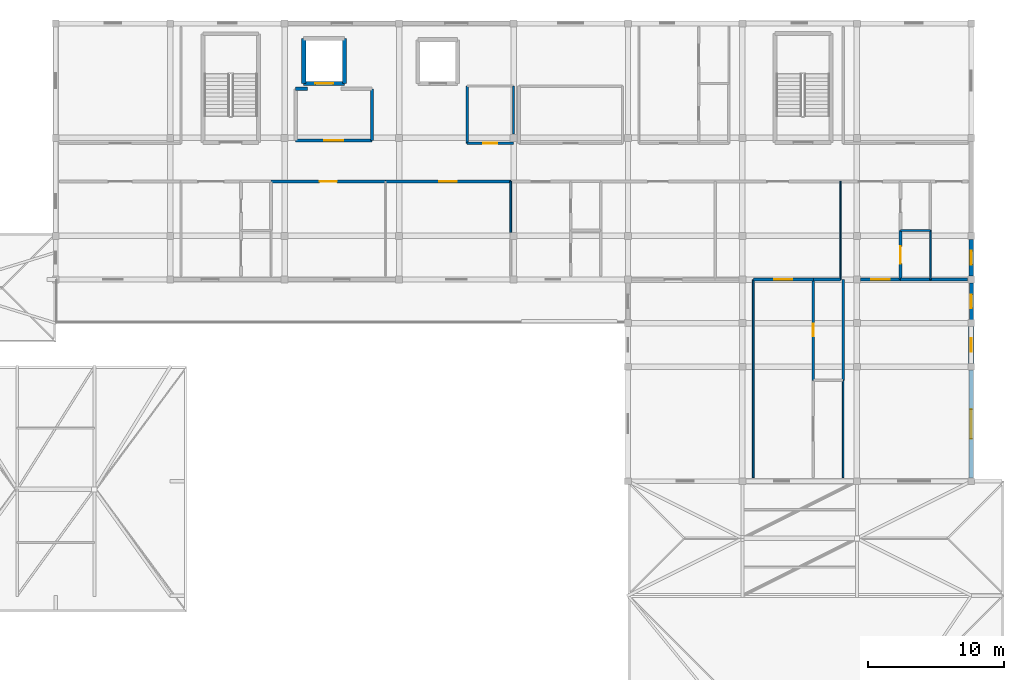
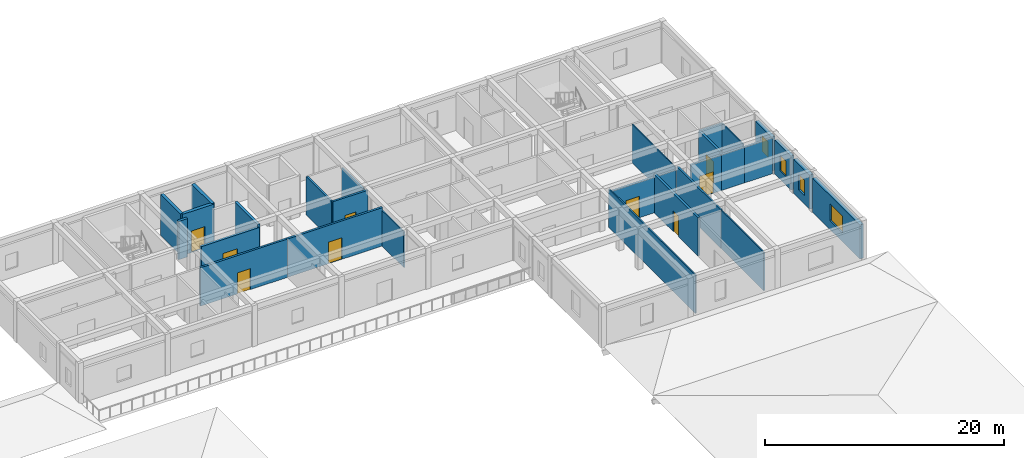
# One storey, part 16 of 26: 29 walls, 9 doors, 4 windows, 13 openings.
"""IFC4 building model written with IfcOpenShell, lengths in metres."""

from ifc_helpers import new_model, si_unit, direction, frame, frame_2d, origin, place, context, subcontext, project, spatial, rectangle, extrude, material, layer, layer_set, type_object, element, fill, save


model = new_model("IFC4")

# Units and contexts
model_context = context("Model", 3, precision=1e-05, world=origin(), true_north=direction((0.0, 1.0)))
body_context = subcontext(model_context, "Body", "Model", "MODEL_VIEW")
ifc_project = project(units=[si_unit("LENGTHUNIT", "METRE"), si_unit("AREAUNIT", "SQUARE_METRE"), si_unit("VOLUMEUNIT", "CUBIC_METRE"), si_unit("PLANEANGLEUNIT", "RADIAN"), si_unit("MASSUNIT", "GRAM", prefix="KILO")], contexts=[model_context])

# Site, building, storey
site_placement = place(None, origin())
site = spatial("IfcSite", under=ifc_project, at=site_placement, CompositionType="ELEMENT")
building_placement = place(site_placement, origin())
building = spatial("IfcBuilding", under=site, at=building_placement, Name="Varncliffe General Hospital", CompositionType="ELEMENT")
storey_placement = place(building_placement, frame((0.0, 0.0, 28.800048828125)))
storey = spatial("IfcBuildingStorey", under=building, at=storey_placement, Name="L06", CompositionType="ELEMENT", Elevation=28.800048828125)

# Wall, opening, window
ifc_material_1 = material(Name="Precast concrete C40/50 with insulated cream lime-cement stucco", Category="concrete")
ifc_layer_1 = layer(ifc_material_1, 0.31005859375)
ifc_layer_set_1 = layer_set([ifc_layer_1], Name="Precast concrete C40/50 with insulated cream lime-cement stucco")
wall_type_1 = type_object("IfcWallType", Name="Exterior Insulated Stucco Wall EW20 (310mm)", PredefinedType="SOLIDWALL", material=ifc_layer_set_1)
wall_1_placement = place(storey_placement, frame((176.39990234375, 108.951904296875, 0.0), z_axis=(0.0, 0.0, 1.0), x_axis=(0.0, -1.0, 0.0)))
wall_1 = element("IfcWall", 1, at=wall_1_placement, inside=storey, type_object=wall_type_1, Name="L06 Exterior Stucco Wall EW20-527", PredefinedType="SOLIDWALL", context=body_context, shape_type="SweptSolid", body=[
    extrude(rectangle(XDim=2.703857421875, YDim=0.31005859375, at=frame_2d((1.35205078125, 0.0))), origin(), (0.0, 0.0, 1.0), 3.47998046875),
])
opening_1_placement = place(wall_1_placement, frame((0.85205078125, 0.0, 0.89990234375)))
opening_1 = element("IfcOpeningElement", 2, at=opening_1_placement, cuts=wall_1, Name="Opening WN21", PredefinedType="OPENING", context=body_context, shape_type="SweptSolid", body=[
    extrude(rectangle(XDim=1.0, YDim=1.550048828125, at=frame_2d((0.5, 0.77490234375))), frame((0.0, 0.1650390625, 0.0), z_axis=(0.0, -1.0, 0.0), x_axis=(1.0, 0.0, 0.0)), (0.0, 0.0, 1.0), 0.330078125),
])
ifc_material_2 = material(Name="Triple low-E argon insulated vision glazing", Category="glass")
window_type_1 = type_object("IfcWindowType", Name="Triple-Glazed Hospital Window WN21 (1000x1550)", PartitioningType="SINGLE_PANEL", PredefinedType="WINDOW", material=ifc_material_2)
window_1_placement = place(opening_1_placement, origin())
window_1 = element("IfcWindow", 3, at=window_1_placement, inside=storey, type_object=window_type_1, Name="L06 Hospital Window WN21-415", OverallHeight=1.550048828125, OverallWidth=1.0, PartitioningType="SINGLE_PANEL", PredefinedType="WINDOW", context=body_context, shape_type="SweptSolid", body=[
    extrude(rectangle(XDim=1.0, YDim=1.550048828125, at=frame_2d((0.5, 0.77490234375))), frame((0.0, 0.030029296875, 0.0), z_axis=(0.0, -1.0, 0.0), x_axis=(1.0, 0.0, 0.0)), (0.0, 0.0, 1.0), 0.06005859375),
])
fill(opening_1, window_1)

ifc_layer_2 = layer(ifc_material_1, 0.3798828125)
ifc_layer_set_2 = layer_set([ifc_layer_2], Name="Precast concrete C40/50 with insulated cream lime-cement stucco")
wall_type_2 = type_object("IfcWallType", Name="Exterior Insulated Stucco Wall EW26 (380mm)", PredefinedType="SOLIDWALL", material=ifc_layer_set_2)
wall_2_placement = place(storey_placement, frame((176.39990234375, 102.552001953125, 0.0), z_axis=(0.0, 0.0, 1.0), x_axis=(0.0, -1.0, 0.0)))
wall_2 = element("IfcWall", 4, at=wall_2_placement, inside=storey, type_object=wall_type_2, Name="L06 Exterior Stucco Wall EW26-529", PredefinedType="SOLIDWALL", context=body_context, shape_type="SweptSolid", body=[
    extrude(rectangle(XDim=2.7041015625, YDim=0.3798828125, at=frame_2d((1.35205078125, 0.0))), origin(), (0.0, 0.0, 1.0), 3.47998046875),
])
opening_2_placement = place(wall_2_placement, frame((0.85205078125, 0.0, 0.89990234375)))
opening_2 = element("IfcOpeningElement", 5, at=opening_2_placement, cuts=wall_2, Name="Opening WN21", PredefinedType="OPENING", context=body_context, shape_type="SweptSolid", body=[
    extrude(rectangle(XDim=1.0, YDim=1.550048828125, at=frame_2d((0.5, 0.77490234375))), frame((0.0, 0.199951171875, 0.0), z_axis=(0.0, -1.0, 0.0), x_axis=(1.0, 0.0, 0.0)), (0.0, 0.0, 1.0), 0.39990234375),
])
window_2_placement = place(opening_2_placement, origin())
window_2 = element("IfcWindow", 6, at=window_2_placement, inside=storey, type_object=window_type_1, Name="L06 Hospital Window WN21-417", OverallHeight=1.550048828125, OverallWidth=1.0, PartitioningType="SINGLE_PANEL", PredefinedType="WINDOW", context=body_context, shape_type="SweptSolid", body=[
    extrude(rectangle(XDim=1.0, YDim=1.550048828125, at=frame_2d((0.5, 0.77490234375))), frame((0.0, 0.030029296875, 0.0), z_axis=(0.0, -1.0, 0.0), x_axis=(1.0, 0.0, 0.0)), (0.0, 0.0, 1.0), 0.06005859375),
])
fill(opening_2, window_2)

ifc_layer_3 = layer(ifc_material_1, 0.2900390625)
ifc_layer_set_3 = layer_set([ifc_layer_3], Name="Precast concrete C40/50 with insulated cream lime-cement stucco")
wall_type_3 = type_object("IfcWallType", Name="Exterior Insulated Stucco Wall EW31 (290mm)", PredefinedType="SOLIDWALL", material=ifc_layer_set_3)
wall_3_placement = place(storey_placement, frame((176.39990234375, 105.751953125, 0.0), z_axis=(0.0, 0.0, 1.0), x_axis=(0.0, -1.0, 0.0)))
wall_3 = element("IfcWall", 7, at=wall_3_placement, inside=storey, type_object=wall_type_3, Name="L06 Exterior Stucco Wall EW31-528", PredefinedType="SOLIDWALL", context=body_context, shape_type="SweptSolid", body=[
    extrude(rectangle(XDim=2.703857421875, YDim=0.2900390625, at=frame_2d((1.35205078125, 0.0))), origin(), (0.0, 0.0, 1.0), 3.47998046875),
])
opening_3_placement = place(wall_3_placement, frame((0.85205078125, 0.0, 0.89990234375)))
opening_3 = element("IfcOpeningElement", 8, at=opening_3_placement, cuts=wall_3, Name="Opening WN21", PredefinedType="OPENING", context=body_context, shape_type="SweptSolid", body=[
    extrude(rectangle(XDim=1.0, YDim=1.550048828125, at=frame_2d((0.5, 0.77490234375))), frame((0.0, 0.155029296875, 0.0), z_axis=(0.0, -1.0, 0.0), x_axis=(1.0, 0.0, 0.0)), (0.0, 0.0, 1.0), 0.31005859375),
])
window_3_placement = place(opening_3_placement, origin())
window_3 = element("IfcWindow", 9, at=window_3_placement, inside=storey, type_object=window_type_1, Name="L06 Hospital Window WN21-416", OverallHeight=1.550048828125, OverallWidth=1.0, PartitioningType="SINGLE_PANEL", PredefinedType="WINDOW", context=body_context, shape_type="SweptSolid", body=[
    extrude(rectangle(XDim=1.0, YDim=1.550048828125, at=frame_2d((0.5, 0.77490234375))), frame((0.0, 0.030029296875, 0.0), z_axis=(0.0, -1.0, 0.0), x_axis=(1.0, 0.0, 0.0)), (0.0, 0.0, 1.0), 0.06005859375),
])
fill(opening_3, window_3)

ifc_layer_4 = layer(ifc_material_1, 0.35009765625)
ifc_layer_set_4 = layer_set([ifc_layer_4], Name="Precast concrete C40/50 with insulated cream lime-cement stucco")
wall_type_4 = type_object("IfcWallType", Name="Exterior Insulated Stucco Wall EW37 (350mm)", PredefinedType="SOLIDWALL", material=ifc_layer_set_4)
wall_4_placement = place(storey_placement, frame((176.39990234375, 99.35205078125, 0.0), z_axis=(0.0, 0.0, 1.0), x_axis=(0.0, -1.0, 0.0)))
wall_4 = element("IfcWall", 10, at=wall_4_placement, inside=storey, type_object=wall_type_4, Name="L06 Exterior Stucco Wall EW37-530", PredefinedType="SOLIDWALL", context=body_context, shape_type="SweptSolid", body=[
    extrude(rectangle(XDim=7.904052734375, YDim=0.35009765625, at=frame_2d((3.9521484375, 0.0))), origin(), (0.0, 0.0, 1.0), 3.47998046875),
])
opening_4_placement = place(wall_4_placement, frame((2.876953125, 0.0, 0.89990234375)))
opening_4 = element("IfcOpeningElement", 11, at=opening_4_placement, cuts=wall_4, Name="Opening WN63", PredefinedType="OPENING", context=body_context, shape_type="SweptSolid", body=[
    extrude(rectangle(XDim=2.14990234375, YDim=1.75, at=frame_2d((1.074951171875, 0.875))), frame((0.0, 0.18505859375, 0.0), z_axis=(0.0, -1.0, 0.0), x_axis=(1.0, 0.0, 0.0)), (0.0, 0.0, 1.0), 0.3701171875),
])
window_type_2 = type_object("IfcWindowType", Name="Triple-Glazed Hospital Window WN63 (2150x1750)", PartitioningType="DOUBLE_PANEL_VERTICAL", PredefinedType="WINDOW", material=ifc_material_2)
window_4_placement = place(opening_4_placement, origin())
window_4 = element("IfcWindow", 12, at=window_4_placement, inside=storey, type_object=window_type_2, Name="L06 Hospital Window WN63-418", OverallHeight=1.75, OverallWidth=2.14990234375, PartitioningType="DOUBLE_PANEL_VERTICAL", PredefinedType="WINDOW", context=body_context, shape_type="SweptSolid", body=[
    extrude(rectangle(XDim=2.14990234375, YDim=1.75, at=frame_2d((1.074951171875, 0.875))), frame((0.0, 0.030029296875, 0.0), z_axis=(0.0, -1.0, 0.0), x_axis=(1.0, 0.0, 0.0)), (0.0, 0.0, 1.0), 0.06005859375),
])
fill(opening_4, window_4)

# Walls
ifc_material_3 = material(Name="Acoustic clinical gypsum stud partition assembly", Category="gypsum")
ifc_layer_5 = layer(ifc_material_3, 0.1298828125)
ifc_layer_set_5 = layer_set([ifc_layer_5], Name="Acoustic clinical gypsum stud partition assembly")
wall_type_5 = type_object("IfcWallType", Name="Interior Partitioning IW11 (130mm)", PredefinedType="PARTITIONING", material=ifc_layer_set_5)
wall_5_placement = place(storey_placement, frame((142.60009765625, 109.465087890625, 0.0), z_axis=(0.0, 0.0, 1.0), x_axis=(0.0, 1.0, 0.0)))
element("IfcWall", 13, at=wall_5_placement, inside=storey, type_object=wall_type_5, Name="L06 Interior Partition Wall IW11-2303", PredefinedType="PARTITIONING", context=body_context, shape_type="SweptSolid", body=[
    extrude(rectangle(XDim=3.73486328125, YDim=0.1298828125, at=frame_2d((1.867431640625, 0.0))), origin(), (0.0, 0.0, 1.0), 3.635009765625),
])
wall_6_placement = place(storey_placement, frame((160.39990234375, 91.4599609375, 0.0), z_axis=(0.0, 0.0, 1.0), x_axis=(0.0, 1.0, 0.0)))
element("IfcWall", 14, at=wall_6_placement, inside=storey, type_object=wall_type_5, Name="L06 Interior Partition Wall IW11-2318", PredefinedType="PARTITIONING", context=body_context, shape_type="SweptSolid", body=[
    extrude(rectangle(XDim=14.5400390625, YDim=0.1298828125, at=frame_2d((7.27001953125, 0.0))), origin(), (0.0, 0.0, 1.0), 3.919921875),
])
ifc_layer_6 = layer(ifc_material_3, 0.090087890625)
ifc_layer_set_6 = layer_set([ifc_layer_6], Name="Acoustic clinical gypsum stud partition assembly")
wall_type_6 = type_object("IfcWallType", Name="Interior Partitioning IW42 (90mm)", PredefinedType="PARTITIONING", material=ifc_layer_set_6)
wall_7_placement = place(storey_placement, frame((166.800048828125, 106.0, 0.0), z_axis=(0.0, 0.0, 1.0), x_axis=(0.0, 1.0, 0.0)))
element("IfcWall", 15, at=wall_7_placement, inside=storey, type_object=wall_type_6, Name="L06 Interior Partition Wall IW42-2321", PredefinedType="PARTITIONING", context=body_context, shape_type="SweptSolid", body=[
    extrude(rectangle(XDim=7.199951171875, YDim=0.090087890625, at=frame_2d((3.60009765625, 0.0))), origin(), (0.0, 0.0, 1.0), 3.919921875),
])
ifc_layer_7 = layer(ifc_material_3, 0.110107421875)
ifc_layer_set_7 = layer_set([ifc_layer_7], Name="Acoustic clinical gypsum stud partition assembly")
wall_type_7 = type_object("IfcWallType", Name="Interior Partitioning IW65 (110mm)", PredefinedType="PARTITIONING", material=ifc_layer_set_7)
wall_8_placement = place(storey_placement, frame((167.0, 91.4599609375, 0.0), z_axis=(0.0, 0.0, 1.0), x_axis=(0.0, 1.0, 0.0)))
element("IfcWall", 16, at=wall_8_placement, inside=storey, type_object=wall_type_7, Name="L06 Interior Partition Wall IW65-2322", PredefinedType="PARTITIONING", context=body_context, shape_type="SweptSolid", body=[
    extrude(rectangle(XDim=7.14013671875, YDim=0.110107421875, at=frame_2d((3.570068359375, 0.0))), origin(), (0.0, 0.0, 1.0), 3.919921875),
])
wall_9_placement = place(storey_placement, frame((173.39990234375, 106.0, 0.0), z_axis=(0.0, 0.0, 1.0), x_axis=(0.0, 1.0, 0.0)))
element("IfcWall", 17, at=wall_9_placement, inside=storey, type_object=wall_type_7, Name="L06 Interior Partition Wall IW65-2327", PredefinedType="PARTITIONING", context=body_context, shape_type="SweptSolid", body=[
    extrude(rectangle(XDim=3.60009765625, YDim=0.110107421875, at=frame_2d((1.800048828125, 0.0))), origin(), (0.0, 0.0, 1.0), 3.919921875),
])
ifc_material_4 = material(Name="Fire-rated gypsum and mineral-wool partition assembly", Category="gypsum")
ifc_layer_8 = layer(ifc_material_4, 0.25)
ifc_layer_set_8 = layer_set([ifc_layer_8], Name="Fire-rated gypsum and mineral-wool partition assembly")
wall_type_8 = type_object("IfcWallType", Name="Interior Partitioning PW38 (250mm)", PredefinedType="PARTITIONING", material=ifc_layer_set_8)
wall_10_placement = place(storey_placement, frame((126.800048828125, 120.0, 0.0), z_axis=(0.0, 0.0, 1.0), x_axis=(1.0, 0.0, 0.0)))
element("IfcWall", 18, at=wall_10_placement, inside=storey, type_object=wall_type_8, Name="L06 Interior Partition Wall PW38-2254", PredefinedType="PARTITIONING", context=body_context, shape_type="SweptSolid", body=[
    extrude(rectangle(XDim=0.864013671875, YDim=0.25, at=frame_2d((0.43212890625, 0.0))), origin(), (0.0, 0.0, 1.0), 3.919921875),
])

# Wall, opening, door
ifc_layer_9 = layer(ifc_material_4, 0.22998046875)
ifc_layer_set_9 = layer_set([ifc_layer_9], Name="Fire-rated gypsum and mineral-wool partition assembly")
wall_type_9 = type_object("IfcWallType", Name="Interior Partitioning PW48 (230mm)", PredefinedType="PARTITIONING", material=ifc_layer_set_9)
wall_11_placement = place(storey_placement, frame((126.800048828125, 116.199951171875, 0.0), z_axis=(0.0, 0.0, 1.0), x_axis=(1.0, 0.0, 0.0)))
wall_11 = element("IfcWall", 19, at=wall_11_placement, inside=storey, type_object=wall_type_9, Name="L06 Interior Partition Wall PW48-2248", PredefinedType="PARTITIONING", context=body_context, shape_type="SweptSolid", body=[
    extrude(rectangle(XDim=5.599853515625, YDim=0.22998046875, at=frame_2d((2.7998046875, 0.0))), origin(), (0.0, 0.0, 1.0), 3.635009765625),
])
opening_5_placement = place(wall_11_placement, frame((2.10009765625, 0.0, 0.0)))
opening_5 = element("IfcOpeningElement", 20, at=opening_5_placement, cuts=wall_11, Name="Opening DF81", PredefinedType="OPENING", context=body_context, shape_type="SweptSolid", body=[
    extrude(rectangle(XDim=1.39990234375, YDim=2.199951171875, at=frame_2d((0.699951171875, 1.10009765625))), frame((0.0, 0.125, 0.0), z_axis=(0.0, -1.0, 0.0), x_axis=(1.0, 0.0, 0.0)), (0.0, 0.0, 1.0), 0.25),
])
ifc_material_5 = material(Name="Fire-rated hospital steel-frame vision-panel door", Category="steel")
door_type_1 = type_object("IfcDoorType", Name="Interior Hospital Door DF81 (1400x2200)", OperationType="NOTDEFINED", PredefinedType="DOOR", material=ifc_material_5)
door_1_placement = place(opening_5_placement, origin())
door_1 = element("IfcDoor", 21, at=door_1_placement, inside=storey, type_object=door_type_1, Name="L06 Firefighting Lift Lobby LF03 Door", OperationType="SINGLE_SWING_RIGHT", OverallHeight=2.199951171875, OverallWidth=1.39990234375, PredefinedType="DOOR", context=body_context, shape_type="SweptSolid", body=[
    extrude(rectangle(XDim=1.39990234375, YDim=2.199951171875, at=frame_2d((0.699951171875, 1.10009765625))), frame((0.0, 0.02490234375, 0.0), z_axis=(0.0, -1.0, 0.0), x_axis=(1.0, 0.0, 0.0)), (0.0, 0.0, 1.0), 0.050048828125),
])
fill(opening_5, door_1)

# Wall
wall_12_placement = place(storey_placement, frame((132.39990234375, 116.199951171875, 0.0), z_axis=(0.0, 0.0, 1.0), x_axis=(0.0, 1.0, 0.0)))
element("IfcWall", 22, at=wall_12_placement, inside=storey, type_object=wall_type_9, Name="L06 Interior Partition Wall PW48-2300", PredefinedType="PARTITIONING", context=body_context, shape_type="SweptSolid", body=[
    extrude(rectangle(XDim=3.800048828125, YDim=0.22998046875, at=frame_2d((1.89990234375, 0.0))), origin(), (0.0, 0.0, 1.0), 3.919921875),
])

# Wall, opening, door
ifc_layer_10 = layer(ifc_material_4, 0.199951171875)
ifc_layer_set_10 = layer_set([ifc_layer_10], Name="Fire-rated gypsum and mineral-wool partition assembly")
wall_type_10 = type_object("IfcWallType", Name="Interior Partitioning PW63 (200mm)", PredefinedType="PARTITIONING", material=ifc_layer_set_10)
wall_13_placement = place(storey_placement, frame((160.39990234375, 106.0, 0.0), z_axis=(0.0, 0.0, 1.0), x_axis=(1.0, 0.0, 0.0)))
wall_13 = element("IfcWall", 23, at=wall_13_placement, inside=storey, type_object=wall_type_10, Name="L06 Interior Partition Wall PW63-2201", PredefinedType="PARTITIONING", context=body_context, shape_type="SweptSolid", body=[
    extrude(rectangle(XDim=4.400146484375, YDim=0.199951171875, at=frame_2d((2.2001953125, 0.0))), origin(), (0.0, 0.0, 1.0), 3.635009765625),
])
opening_6_placement = place(wall_13_placement, frame((1.550048828125, 0.0, 0.0)))
opening_6 = element("IfcOpeningElement", 24, at=opening_6_placement, cuts=wall_13, Name="Opening DC88", PredefinedType="OPENING", context=body_context, shape_type="SweptSolid", body=[
    extrude(rectangle(XDim=1.300048828125, YDim=2.199951171875, at=frame_2d((0.64990234375, 1.10009765625))), frame((0.0, 0.10986328125, 0.0), z_axis=(0.0, -1.0, 0.0), x_axis=(1.0, 0.0, 0.0)), (0.0, 0.0, 1.0), 0.219970703125),
])
door_type_2 = type_object("IfcDoorType", Name="Interior Hospital Door DC88 (1300x2200)", OperationType="NOTDEFINED", PredefinedType="DOOR", material=ifc_material_5)
door_2_placement = place(opening_6_placement, frame((1.300048828125, 0.0, 0.0), z_axis=(0.0, 0.0, 1.0), x_axis=(-1.0, 0.0, 0.0)))
door_2 = element("IfcDoor", 25, at=door_2_placement, inside=storey, type_object=door_type_2, Name="L06 Paediatric Inpatient Bedroom 60 Door", OperationType="SINGLE_SWING_LEFT", OverallHeight=2.199951171875, OverallWidth=1.300048828125, PredefinedType="DOOR", context=body_context, shape_type="SweptSolid", body=[
    extrude(rectangle(XDim=1.300048828125, YDim=2.199951171875, at=frame_2d((0.64990234375, 1.10009765625))), frame((0.0, 0.02490234375, 0.0), z_axis=(0.0, -1.0, 0.0), x_axis=(1.0, 0.0, 0.0)), (0.0, 0.0, 1.0), 0.050048828125),
])
fill(opening_6, door_2)

wall_14_placement = place(storey_placement, frame((168.264892578125, 106.0, 0.0), z_axis=(0.0, 0.0, 1.0), x_axis=(1.0, 0.0, 0.0)))
wall_14 = element("IfcWall", 26, at=wall_14_placement, inside=storey, type_object=wall_type_10, Name="L06 Interior Partition Wall PW63-2203", PredefinedType="PARTITIONING", context=body_context, shape_type="SweptSolid", body=[
    extrude(rectangle(XDim=2.93505859375, YDim=0.199951171875, at=frame_2d((1.467529296875, 0.0))), origin(), (0.0, 0.0, 1.0), 3.635009765625),
])
opening_7_placement = place(wall_14_placement, frame((0.79248046875, 0.0, 0.0)))
opening_7 = element("IfcOpeningElement", 27, at=opening_7_placement, cuts=wall_14, Name="Opening DC85", PredefinedType="OPENING", context=body_context, shape_type="SweptSolid", body=[
    extrude(rectangle(XDim=1.35009765625, YDim=2.199951171875, at=frame_2d((0.675048828125, 1.10009765625))), frame((0.0, 0.10986328125, 0.0), z_axis=(0.0, -1.0, 0.0), x_axis=(1.0, 0.0, 0.0)), (0.0, 0.0, 1.0), 0.219970703125),
])
door_type_3 = type_object("IfcDoorType", Name="Interior Hospital Door DC85 (1350x2200)", OperationType="NOTDEFINED", PredefinedType="DOOR", material=ifc_material_5)
door_3_placement = place(opening_7_placement, frame((1.35009765625, 0.0, 0.0), z_axis=(0.0, 0.0, 1.0), x_axis=(-1.0, 0.0, 0.0)))
door_3 = element("IfcDoor", 28, at=door_3_placement, inside=storey, type_object=door_type_3, Name="L06 Paediatric Playroom and Daylight Lounge 63 Door", OperationType="SINGLE_SWING_RIGHT", OverallHeight=2.199951171875, OverallWidth=1.35009765625, PredefinedType="DOOR", context=body_context, shape_type="SweptSolid", body=[
    extrude(rectangle(XDim=1.35009765625, YDim=2.199951171875, at=frame_2d((0.675048828125, 1.10009765625))), frame((0.0, 0.02490234375, 0.0), z_axis=(0.0, -1.0, 0.0), x_axis=(1.0, 0.0, 0.0)), (0.0, 0.0, 1.0), 0.050048828125),
])
fill(opening_7, door_3)

# Walls
wall_15_placement = place(storey_placement, frame((171.199951171875, 106.0, 0.0), z_axis=(0.0, 0.0, 1.0), x_axis=(1.0, 0.0, 0.0)))
element("IfcWall", 29, at=wall_15_placement, inside=storey, type_object=wall_type_10, Name="L06 Interior Partition Wall PW63-2204", PredefinedType="PARTITIONING", context=body_context, shape_type="SweptSolid", body=[
    extrude(rectangle(XDim=2.199951171875, YDim=0.199951171875, at=frame_2d((1.10009765625, 0.0))), origin(), (0.0, 0.0, 1.0), 3.635009765625),
])
wall_16_placement = place(storey_placement, frame((173.39990234375, 106.0, 0.0), z_axis=(0.0, 0.0, 1.0), x_axis=(1.0, 0.0, 0.0)))
element("IfcWall", 30, at=wall_16_placement, inside=storey, type_object=wall_type_10, Name="L06 Interior Partition Wall PW63-2205", PredefinedType="PARTITIONING", context=body_context, shape_type="SweptSolid", body=[
    extrude(rectangle(XDim=2.735107421875, YDim=0.199951171875, at=frame_2d((1.36767578125, 0.0))), origin(), (0.0, 0.0, 1.0), 3.635009765625),
])

# Wall, opening, door
wall_17_placement = place(storey_placement, frame((125.0, 113.199951171875, 0.0), z_axis=(0.0, 0.0, 1.0), x_axis=(1.0, 0.0, 0.0)))
wall_17 = element("IfcWall", 31, at=wall_17_placement, inside=storey, type_object=wall_type_10, Name="L06 Interior Partition Wall PW63-2227", PredefinedType="PARTITIONING", context=body_context, shape_type="SweptSolid", body=[
    extrude(rectangle(XDim=8.39990234375, YDim=0.199951171875, at=frame_2d((4.199951171875, 0.0))), origin(), (0.0, 0.0, 1.0), 3.919921875),
])
opening_8_placement = place(wall_17_placement, frame((3.574951171875, 0.0, 0.0)))
opening_8 = element("IfcOpeningElement", 32, at=opening_8_placement, cuts=wall_17, Name="Opening DC44", PredefinedType="OPENING", context=body_context, shape_type="SweptSolid", body=[
    extrude(rectangle(XDim=1.25, YDim=2.14990234375, at=frame_2d((0.625, 1.074951171875))), frame((0.0, 0.10986328125, 0.0), z_axis=(0.0, -1.0, 0.0), x_axis=(1.0, 0.0, 0.0)), (0.0, 0.0, 1.0), 0.219970703125),
])
door_type_4 = type_object("IfcDoorType", Name="Interior Hospital Door DC44 (1250x2150)", OperationType="NOTDEFINED", PredefinedType="DOOR", material=ifc_material_5)
door_4_placement = place(opening_8_placement, frame((1.25, 0.0, 0.0), z_axis=(0.0, 0.0, 1.0), x_axis=(-1.0, 0.0, 0.0)))
door_4 = element("IfcDoor", 33, at=door_4_placement, inside=storey, type_object=door_type_4, Name="L06 Paediatric Playroom and Daylight Lounge 36 Door", OperationType="SINGLE_SWING_RIGHT", OverallHeight=2.14990234375, OverallWidth=1.25, PredefinedType="DOOR", context=body_context, shape_type="SweptSolid", body=[
    extrude(rectangle(XDim=1.25, YDim=2.14990234375, at=frame_2d((0.625, 1.074951171875))), frame((0.0, 0.02490234375, 0.0), z_axis=(0.0, -1.0, 0.0), x_axis=(1.0, 0.0, 0.0)), (0.0, 0.0, 1.0), 0.050048828125),
])
fill(opening_8, door_4)

wall_18_placement = place(storey_placement, frame((133.39990234375, 113.199951171875, 0.0), z_axis=(0.0, 0.0, 1.0), x_axis=(1.0, 0.0, 0.0)))
wall_18 = element("IfcWall", 34, at=wall_18_placement, inside=storey, type_object=wall_type_10, Name="L06 Interior Partition Wall PW63-2228", PredefinedType="PARTITIONING", context=body_context, shape_type="SweptSolid", body=[
    extrude(rectangle(XDim=9.2001953125, YDim=0.199951171875, at=frame_2d((4.60009765625, 0.0))), origin(), (0.0, 0.0, 1.0), 3.919921875),
])
opening_9_placement = place(wall_18_placement, frame((3.949951171875, 0.0, 0.0)))
opening_9 = element("IfcOpeningElement", 35, at=opening_9_placement, cuts=wall_18, Name="Opening DC88", PredefinedType="OPENING", context=body_context, shape_type="SweptSolid", body=[
    extrude(rectangle(XDim=1.300048828125, YDim=2.199951171875, at=frame_2d((0.64990234375, 1.10009765625))), frame((0.0, 0.10986328125, 0.0), z_axis=(0.0, -1.0, 0.0), x_axis=(1.0, 0.0, 0.0)), (0.0, 0.0, 1.0), 0.219970703125),
])
door_5_placement = place(opening_9_placement, frame((1.300048828125, 0.0, 0.0), z_axis=(0.0, 0.0, 1.0), x_axis=(-1.0, 0.0, 0.0)))
door_5 = element("IfcDoor", 36, at=door_5_placement, inside=storey, type_object=door_type_2, Name="L06 Neonatal Intensive Care Nursery NICU 37 Door", OperationType="SINGLE_SWING_LEFT", OverallHeight=2.199951171875, OverallWidth=1.300048828125, PredefinedType="DOOR", context=body_context, shape_type="SweptSolid", body=[
    extrude(rectangle(XDim=1.300048828125, YDim=2.199951171875, at=frame_2d((0.64990234375, 1.10009765625))), frame((0.0, 0.02490234375, 0.0), z_axis=(0.0, -1.0, 0.0), x_axis=(1.0, 0.0, 0.0)), (0.0, 0.0, 1.0), 0.050048828125),
])
fill(opening_9, door_5)

wall_19_placement = place(storey_placement, frame((139.39990234375, 116.0, 0.0), z_axis=(0.0, 0.0, 1.0), x_axis=(1.0, 0.0, 0.0)))
wall_19 = element("IfcWall", 37, at=wall_19_placement, inside=storey, type_object=wall_type_10, Name="L06 Interior Partition Wall PW63-2241", PredefinedType="PARTITIONING", context=body_context, shape_type="SweptSolid", body=[
    extrude(rectangle(XDim=3.400146484375, YDim=0.199951171875, at=frame_2d((1.7001953125, 0.0))), origin(), (0.0, 0.0, 1.0), 3.919921875),
])
opening_10_placement = place(wall_19_placement, frame((1.179931640625, 0.0, 0.0)))
opening_10 = element("IfcOpeningElement", 38, at=opening_10_placement, cuts=wall_19, Name="Opening DI77", PredefinedType="OPENING", context=body_context, shape_type="SweptSolid", body=[
    extrude(rectangle(XDim=1.0400390625, YDim=2.10009765625, at=frame_2d((0.52001953125, 1.050048828125))), frame((0.0, 0.10986328125, 0.0), z_axis=(0.0, -1.0, 0.0), x_axis=(1.0, 0.0, 0.0)), (0.0, 0.0, 1.0), 0.219970703125),
])
ifc_material_6 = material(Name="Solid-core antimicrobial hospital oak veneer door", Category="wood")
door_type_5 = type_object("IfcDoorType", Name="Interior Hospital Door DI77 (1040x2100)", OperationType="NOTDEFINED", PredefinedType="DOOR", material=ifc_material_6)
door_6_placement = place(opening_10_placement, origin())
door_6 = element("IfcDoor", 39, at=door_6_placement, inside=storey, type_object=door_type_5, Name="L06 Accessible WC L06-NE Door", OperationType="SINGLE_SWING_RIGHT", OverallHeight=2.10009765625, OverallWidth=1.0400390625, PredefinedType="DOOR", context=body_context, shape_type="SweptSolid", body=[
    extrude(rectangle(XDim=1.0400390625, YDim=2.10009765625, at=frame_2d((0.52001953125, 1.050048828125))), frame((0.0, 0.02490234375, 0.0), z_axis=(0.0, -1.0, 0.0), x_axis=(1.0, 0.0, 0.0)), (0.0, 0.0, 1.0), 0.050048828125),
])
fill(opening_10, door_6)

wall_20_placement = place(storey_placement, frame((164.800048828125, 98.60009765625, 0.0), z_axis=(0.0, 0.0, 1.0), x_axis=(0.0, 1.0, 0.0)))
wall_20 = element("IfcWall", 40, at=wall_20_placement, inside=storey, type_object=wall_type_10, Name="L06 Interior Partition Wall PW63-2320", PredefinedType="PARTITIONING", context=body_context, shape_type="SweptSolid", body=[
    extrude(rectangle(XDim=7.39990234375, YDim=0.199951171875, at=frame_2d((3.699951171875, 0.0))), origin(), (0.0, 0.0, 1.0), 3.919921875),
])
opening_11_placement = place(wall_20_placement, frame((3.239990234375, 0.0, 0.0)))
opening_11 = element("IfcOpeningElement", 41, at=opening_11_placement, cuts=wall_20, Name="Opening DI70", PredefinedType="OPENING", context=body_context, shape_type="SweptSolid", body=[
    extrude(rectangle(XDim=0.919921875, YDim=2.10009765625, at=frame_2d((0.4599609375, 1.050048828125))), frame((0.0, 0.10986328125, 0.0), z_axis=(0.0, -1.0, 0.0), x_axis=(1.0, 0.0, 0.0)), (0.0, 0.0, 1.0), 0.219970703125),
])
door_type_6 = type_object("IfcDoorType", Name="Interior Hospital Door DI70 (920x2100)", OperationType="NOTDEFINED", PredefinedType="DOOR", material=ifc_material_6)
door_7_placement = place(opening_11_placement, frame((0.919921875, 0.0, 0.0), z_axis=(0.0, 0.0, 1.0), x_axis=(-1.0, 0.0, 0.0)))
door_7 = element("IfcDoor", 42, at=door_7_placement, inside=storey, type_object=door_type_6, Name="L06 En-Suite Bathroom 61 Door", OperationType="SINGLE_SWING_RIGHT", OverallHeight=2.10009765625, OverallWidth=0.919921875, PredefinedType="DOOR", context=body_context, shape_type="SweptSolid", body=[
    extrude(rectangle(XDim=0.919921875, YDim=2.10009765625, at=frame_2d((0.4599609375, 1.050048828125))), frame((0.0, 0.02490234375, 0.0), z_axis=(0.0, -1.0, 0.0), x_axis=(1.0, 0.0, 0.0)), (0.0, 0.0, 1.0), 0.050048828125),
])
fill(opening_11, door_7)

wall_21_placement = place(storey_placement, frame((171.199951171875, 106.0, 0.0), z_axis=(0.0, 0.0, 1.0), x_axis=(0.0, 1.0, 0.0)))
wall_21 = element("IfcWall", 43, at=wall_21_placement, inside=storey, type_object=wall_type_10, Name="L06 Interior Partition Wall PW63-2325", PredefinedType="PARTITIONING", context=body_context, shape_type="SweptSolid", body=[
    extrude(rectangle(XDim=3.60009765625, YDim=0.199951171875, at=frame_2d((1.800048828125, 0.0))), origin(), (0.0, 0.0, 1.0), 3.919921875),
])
opening_12_placement = place(wall_21_placement, frame((1.175048828125, 0.0, 0.0)))
opening_12 = element("IfcOpeningElement", 44, at=opening_12_placement, cuts=wall_21, Name="Opening DC44", PredefinedType="OPENING", context=body_context, shape_type="SweptSolid", body=[
    extrude(rectangle(XDim=1.25, YDim=2.14990234375, at=frame_2d((0.625, 1.074951171875))), frame((0.0, 0.10986328125, 0.0), z_axis=(0.0, -1.0, 0.0), x_axis=(1.0, 0.0, 0.0)), (0.0, 0.0, 1.0), 0.219970703125),
])
door_8_placement = place(opening_12_placement, frame((1.25, 0.0, 0.0), z_axis=(0.0, 0.0, 1.0), x_axis=(-1.0, 0.0, 0.0)))
door_8 = element("IfcDoor", 45, at=door_8_placement, inside=storey, type_object=door_type_4, Name="L06 Patient Medication and Hygiene Bay 45 Door", OperationType="SINGLE_SWING_LEFT", OverallHeight=2.14990234375, OverallWidth=1.25, PredefinedType="DOOR", context=body_context, shape_type="SweptSolid", body=[
    extrude(rectangle(XDim=1.25, YDim=2.14990234375, at=frame_2d((0.625, 1.074951171875))), frame((0.0, 0.02490234375, 0.0), z_axis=(0.0, -1.0, 0.0), x_axis=(1.0, 0.0, 0.0)), (0.0, 0.0, 1.0), 0.050048828125),
])
fill(opening_12, door_8)

# Walls
ifc_material_7 = material(Name="Moisture-resistant plumbing chase wall assembly", Category="gypsum")
ifc_layer_11 = layer(ifc_material_7, 0.18994140625)
ifc_layer_set_11 = layer_set([ifc_layer_11], Name="Moisture-resistant plumbing chase wall assembly")
wall_type_11 = type_object("IfcWallType", Name="Interior Plumbingwall MW17 (190mm)", PredefinedType="PLUMBINGWALL", material=ifc_layer_set_11)
wall_22_placement = place(storey_placement, frame((164.800048828125, 106.0, 0.0), z_axis=(0.0, 0.0, 1.0), x_axis=(1.0, 0.0, 0.0)))
element("IfcWall", 46, at=wall_22_placement, inside=storey, type_object=wall_type_11, Name="L06 Interior Plumbing Wall MW17-2202", PredefinedType="PLUMBINGWALL", context=body_context, shape_type="SweptSolid", body=[
    extrude(rectangle(XDim=2.0, YDim=0.18994140625, at=frame_2d((1.0, 0.0))), origin(), (0.0, 0.0, 1.0), 3.635009765625),
])
wall_23_placement = place(storey_placement, frame((139.39990234375, 116.0, 0.0), z_axis=(0.0, 0.0, 1.0), x_axis=(0.0, 1.0, 0.0)))
element("IfcWall", 47, at=wall_23_placement, inside=storey, type_object=wall_type_11, Name="L06 Interior Plumbing Wall MW17-2302", PredefinedType="PLUMBINGWALL", context=body_context, shape_type="SweptSolid", body=[
    extrude(rectangle(XDim=4.199951171875, YDim=0.18994140625, at=frame_2d((2.10009765625, 0.0))), origin(), (0.0, 0.0, 1.0), 3.919921875),
])
ifc_layer_12 = layer(ifc_material_7, 0.159912109375)
ifc_layer_set_12 = layer_set([ifc_layer_12], Name="Moisture-resistant plumbing chase wall assembly")
wall_type_12 = type_object("IfcWallType", Name="Interior Plumbingwall MW31 (160mm)", PredefinedType="PLUMBINGWALL", material=ifc_layer_set_12)
wall_24_placement = place(storey_placement, frame((171.199951171875, 109.60009765625, 0.0), z_axis=(0.0, 0.0, 1.0), x_axis=(1.0, 0.0, 0.0)))
element("IfcWall", 48, at=wall_24_placement, inside=storey, type_object=wall_type_12, Name="L06 Interior Plumbing Wall MW31-2211", PredefinedType="PLUMBINGWALL", context=body_context, shape_type="SweptSolid", body=[
    extrude(rectangle(XDim=2.199951171875, YDim=0.159912109375, at=frame_2d((1.10009765625, 0.0))), origin(), (0.0, 0.0, 1.0), 3.919921875),
])
wall_25_placement = place(storey_placement, frame((142.800048828125, 116.6650390625, 0.0), z_axis=(0.0, 0.0, 1.0), x_axis=(0.0, 1.0, 0.0)))
element("IfcWall", 49, at=wall_25_placement, inside=storey, type_object=wall_type_12, Name="L06 Interior Plumbing Wall MW31-2305", PredefinedType="PLUMBINGWALL", context=body_context, shape_type="SweptSolid", body=[
    extrude(rectangle(XDim=3.534912109375, YDim=0.159912109375, at=frame_2d((1.767578125, 0.0))), origin(), (0.0, 0.0, 1.0), 3.635009765625),
])
wall_26_placement = place(storey_placement, frame((167.0, 98.60009765625, 0.0), z_axis=(0.0, 0.0, 1.0), x_axis=(0.0, 1.0, 0.0)))
element("IfcWall", 50, at=wall_26_placement, inside=storey, type_object=wall_type_12, Name="L06 Interior Plumbing Wall MW31-2323", PredefinedType="PLUMBINGWALL", context=body_context, shape_type="SweptSolid", body=[
    extrude(rectangle(XDim=7.39990234375, YDim=0.159912109375, at=frame_2d((3.699951171875, 0.0))), origin(), (0.0, 0.0, 1.0), 3.919921875),
])

# Wall, opening, door
ifc_material_8 = material(Name="Concrete C40/50 (CSA A23.1 40 MPa)", Category="concrete")
ifc_layer_13 = layer(ifc_material_8, 0.300048828125)
ifc_layer_set_13 = layer_set([ifc_layer_13], Name="Concrete C40/50 (CSA A23.1 40 MPa)")
wall_type_13 = type_object("IfcWallType", Name="Reinforced Concrete Core Shear Wall CW12 (300mm)", PredefinedType="SHEAR", material=ifc_layer_set_13)
wall_27_placement = place(storey_placement, frame((127.39990234375, 120.39990234375, 0.0), z_axis=(0.0, 0.0, 1.0), x_axis=(1.0, 0.0, 0.0)))
wall_27 = element("IfcWall", 51, at=wall_27_placement, inside=storey, type_object=wall_type_13, Name="L06 LF03 Elevator Shaft Wall South", PredefinedType="SHEAR", context=body_context, shape_type="SweptSolid", body=[
    extrude(rectangle(XDim=3.0, YDim=0.300048828125, at=frame_2d((1.5, 0.0))), origin(), (0.0, 0.0, 1.0), 4.199951171875),
])
opening_13_placement = place(wall_27_placement, frame((0.85009765625, 0.0, 0.0)))
opening_13 = element("IfcOpeningElement", 52, at=opening_13_placement, cuts=wall_27, Name="Opening LD02", PredefinedType="OPENING", context=body_context, shape_type="SweptSolid", body=[
    extrude(rectangle(XDim=1.300048828125, YDim=2.199951171875, at=frame_2d((0.64990234375, 1.10009765625))), frame((0.0, 0.16015625, 0.0), z_axis=(0.0, -1.0, 0.0), x_axis=(1.0, 0.0, 0.0)), (0.0, 0.0, 1.0), 0.320068359375),
])
ifc_material_9 = material(Name="Brushed stainless-steel sliding elevator landing door", Category="steel")
door_type_7 = type_object("IfcDoorType", Name="Lift Landing Door LD02 (1300x2200)", OperationType="DOUBLE_DOOR_SLIDING", PredefinedType="DOOR", material=ifc_material_9)
door_9_placement = place(opening_13_placement, origin())
door_9 = element("IfcDoor", 53, at=door_9_placement, inside=storey, type_object=door_type_7, Name="Lift Landing Door LF03 L06", OperationType="DOUBLE_DOOR_SLIDING", OverallHeight=2.199951171875, OverallWidth=1.300048828125, PredefinedType="DOOR", context=body_context, shape_type="SweptSolid", body=[
    extrude(rectangle(XDim=1.300048828125, YDim=2.199951171875, at=frame_2d((0.64990234375, 1.10009765625))), frame((0.0, 0.02490234375, 0.0), z_axis=(0.0, -1.0, 0.0), x_axis=(1.0, 0.0, 0.0)), (0.0, 0.0, 1.0), 0.050048828125),
])
fill(opening_13, door_9)

# Walls
for number, where, z_axis, x_axis, name in (
    (54, (130.39990234375, 120.39990234375, 0.0), (0.0, 0.0, 1.0), (0.0, 1.0, 0.0), "L06 LF03 Elevator Shaft Wall East"),
    (55, (127.39990234375, 123.699951171875, 0.0), (0.0, 0.0, 1.0), (0.0, -1.0, 0.0), "L06 LF03 Elevator Shaft Wall West"),
):
    element("IfcWall", number, at=place(storey_placement, frame(where, z_axis=z_axis, x_axis=x_axis)), inside=storey, type_object=wall_type_13, Name=name, PredefinedType="SHEAR", context=body_context, shape_type="SweptSolid", body=[
        extrude(rectangle(XDim=3.300048828125, YDim=0.300048828125, at=frame_2d((1.64990234375, 0.0))), origin(), (0.0, 0.0, 1.0), 4.199951171875),
    ])

save(model, "model.ifc")
